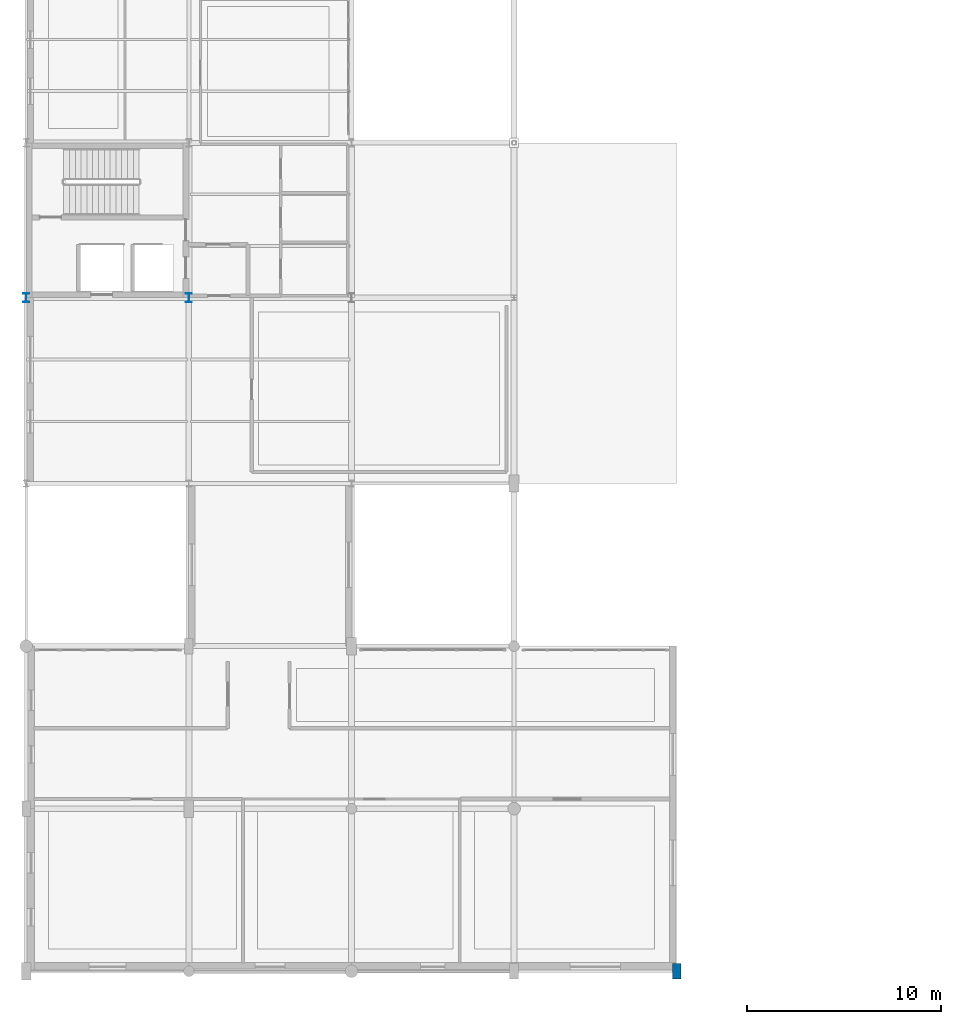
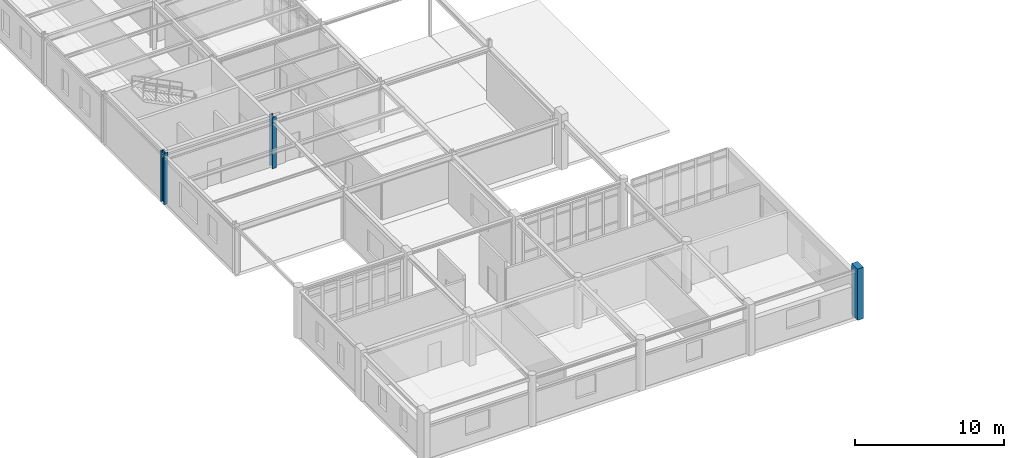
# One storey, part 2 of 90: 3 columns.
"""IFC4 building model written with IfcOpenShell, lengths in metres."""

from ifc_helpers import new_model, si_unit, derived_unit, direction, frame, origin, origin_2d, place, context, subcontext, project, spatial, rectangle, i_section, extrude, material, material_profile, profile_set, type_object, element, save


model = new_model("IFC4")

# Units and contexts
model_context = context("Model", 3, precision=1e-05, world=origin(), true_north=direction((0.0, 1.0)))
body_context = subcontext(model_context, "Body", "Model", "MODEL_VIEW")
ifc_project = project(units=[si_unit("LENGTHUNIT", "METRE"), si_unit("AREAUNIT", "SQUARE_METRE"), si_unit("VOLUMEUNIT", "CUBIC_METRE"), si_unit("PLANEANGLEUNIT", "RADIAN"), si_unit("MASSUNIT", "GRAM", prefix="KILO"), derived_unit("THERMALTRANSMITTANCEUNIT", [(si_unit("POWERUNIT", "WATT"), 1), (si_unit("AREAUNIT", "SQUARE_METRE"), -1), (si_unit("THERMODYNAMICTEMPERATUREUNIT", "KELVIN"), -1)])], contexts=[model_context])

# Site, building, storey
site_placement = place(None, origin())
site = spatial("IfcSite", under=ifc_project, at=site_placement, CompositionType="ELEMENT")
building_placement = place(site_placement, origin())
building = spatial("IfcBuilding", under=site, at=building_placement, Name="Yasenodar Specialist Clinic", CompositionType="ELEMENT")
storey_placement = place(building_placement, frame((0.0, 0.0, 9.0)))
storey = spatial("IfcBuildingStorey", under=building, at=storey_placement, Name="L02", CompositionType="ELEMENT", Elevation=9.0)

# Columns
ifc_material_1 = material(Name="Concrete C35/45", Category="concrete")
ifc_material_profile_1 = material_profile(ifc_material_1, rectangle(XDim=0.449951171875, YDim=0.800048828125, at=origin_2d()), Name="RC 450x800")
ifc_profile_set_1 = profile_set([ifc_material_profile_1], Name="Concrete C35/45")
column_type_1 = type_object("IfcColumnType", Name="COL-RC-450x800", PredefinedType="COLUMN", material=ifc_profile_set_1)
column_placement = place(storey_placement, frame((33.60009765625, 0.0, 0.0), z_axis=(0.0, 0.0, 1.0), x_axis=(1.0, 0.0, 0.0)))
element("IfcColumn", 1, at=column_placement, inside=storey, type_object=column_type_1, Name="L02 Column V2-058", PredefinedType="COLUMN", context=body_context, shape_type="SweptSolid", body=[
    extrude(rectangle(XDim=0.449951171875, YDim=0.800048828125, at=origin_2d()), origin(), (0.0, 0.0, 1.0), 4.199951171875),
])
ifc_material_2 = material(Name="Steel S355", Category="steel")
ifc_material_profile_2 = material_profile(ifc_material_2, i_section(OverallWidth=0.300048828125, OverallDepth=0.449951171875, WebThickness=0.013916015625, FlangeThickness=0.02587890625, FilletRadius=0.027099609375, at=origin_2d()), Name="HEB 450")
ifc_profile_set_2 = profile_set([ifc_material_profile_2], Name="Steel S355")
column_type_2 = type_object("IfcColumnType", Name="COL-ST-HEB450", PredefinedType="COLUMN", material=ifc_profile_set_2)
for number, where, z_axis, x_axis, name in (
    (2, (0.0, 34.800048828125, 0.0), (0.0, 0.0, 1.0), (1.0, 0.0, 0.0), "L02 Column V4-005"),
    (3, (8.39990234375, 34.800048828125, 0.0), (0.0, 0.0, 1.0), (1.0, 0.0, 0.0), "L02 Column V4-020"),
):
    element("IfcColumn", number, at=place(storey_placement, frame(where, z_axis=z_axis, x_axis=x_axis)), inside=storey, type_object=column_type_2, Name=name, PredefinedType="COLUMN", context=body_context, shape_type="SweptSolid", body=[
        extrude(i_section(OverallWidth=0.300048828125, OverallDepth=0.449951171875, WebThickness=0.013916015625, FlangeThickness=0.02587890625, FilletRadius=0.027099609375, at=origin_2d()), origin(), (0.0, 0.0, 1.0), 4.199951171875),
    ])

save(model, "model.ifc")
